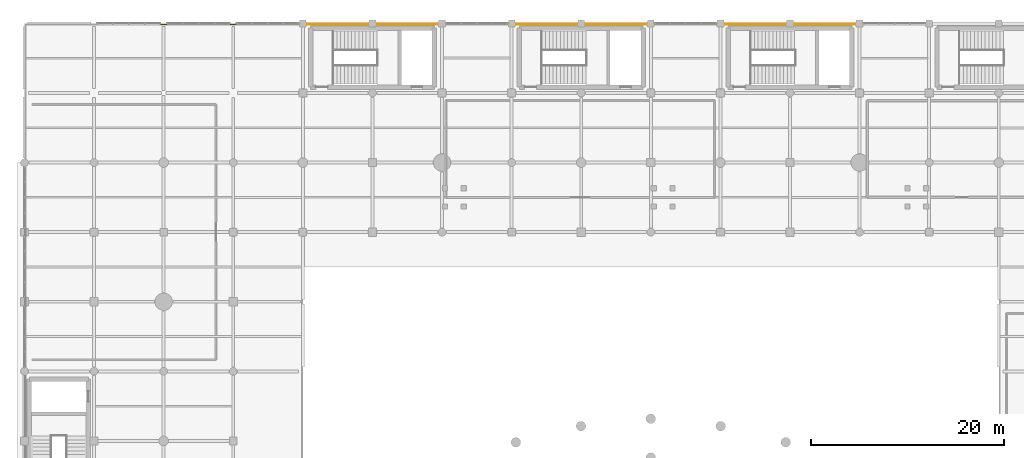
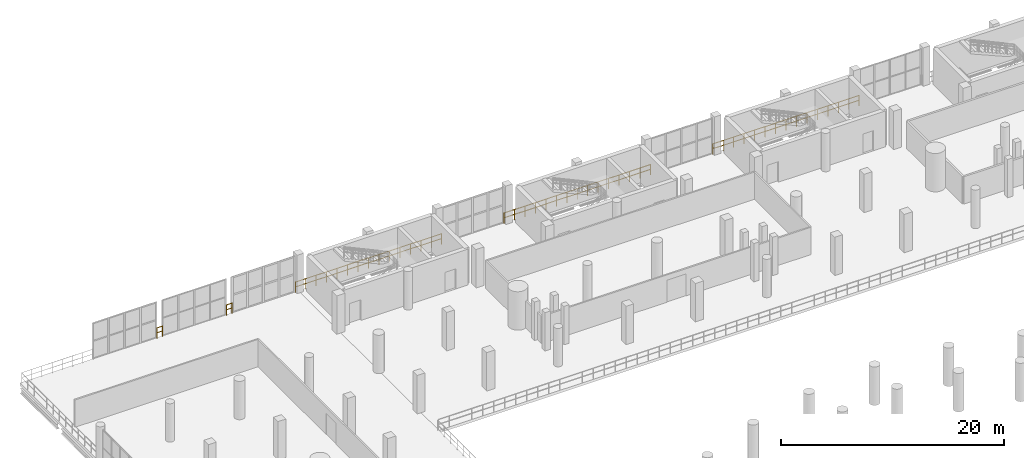
# One storey, part 153 of 153: 5 railings.
"""IFC4 building model written with IfcOpenShell, lengths in metres."""

import ifcopenshell
import ifcopenshell.guid

model = None  # the IFC model being written
_history = None  # IfcOwnerHistory: only IFC2X3 demands one
_inside = {}  # id of a spatial element -> (the spatial element, [elements in it])
_under = {}  # id of a project, library or spatial element -> (it, [spatial elements below it])
_declared = {}  # id of a project -> (the project, [libraries it declares])
_typed = {}  # id of a type object -> (the type object, [elements of that type])
_made_of = {}  # id of a material, layer set ... -> (it, [elements and type objects made of it])


def new_model(schema):
    """Start an empty IFC model of exactly this schema.

    Asked for "IFC4X3", IfcOpenShell would pick the latest addendum, in which some entities
    have other attributes; the version numbers below select the first issue.
    IFC2X3 requires an IfcOwnerHistory on every rooted entity: one is made here for all.
    """
    global model, _history
    if schema == "IFC4X3":
        model = ifcopenshell.file(schema_version=(4, 3, 0, 0))
    else:
        model = ifcopenshell.file(schema=schema)
    _inside.clear()
    _under.clear()
    _declared.clear()
    _typed.clear()
    _made_of.clear()
    _history = None
    if model.schema == "IFC2X3":
        org = make("IfcOrganization", Name="unknown")
        user = make(
            "IfcPersonAndOrganization",
            ThePerson=make("IfcPerson", FamilyName="unknown"),
            TheOrganization=org,
        )
        app = make(
            "IfcApplication",
            ApplicationDeveloper=org,
            Version="unknown",
            ApplicationFullName="unknown",
            ApplicationIdentifier="unknown",
        )
        _history = make(
            "IfcOwnerHistory",
            OwningUser=user,
            OwningApplication=app,
            ChangeAction="ADDED",
            CreationDate=0,
        )
    return model


def make(cls, **values):
    """One entity of the class cls with the attributes given. An attribute that is None is left unset."""
    return model.create_entity(
        cls, **{name: value for name, value in values.items() if value is not None}
    )


def rooted(cls, **values):
    """An entity with a GlobalId (a new one), such as an element, a storey or a relation."""
    return make(cls, GlobalId=ifcopenshell.guid.new(), OwnerHistory=_history, **values)


def si_unit(unit_type, name, prefix=None):
    """IfcSIUnit, for example si_unit("LENGTHUNIT", "METRE", prefix="MILLI")."""
    return make("IfcSIUnit", UnitType=unit_type, Prefix=prefix, Name=name)


def assignment(units):
    """IfcUnitAssignment: the units of a project."""
    return None if units is None else make("IfcUnitAssignment", Units=units)


def point(xyz):
    """IfcCartesianPoint."""
    return None if xyz is None else make("IfcCartesianPoint", Coordinates=xyz)


def direction(xyz):
    """IfcDirection."""
    return None if xyz is None else make("IfcDirection", DirectionRatios=xyz)


def frame(location, z_axis=None, x_axis=None):
    """IfcAxis2Placement3D, a coordinate frame: its origin and axes. An axis left out is left unset."""
    return make(
        "IfcAxis2Placement3D",
        Location=point(location),
        Axis=direction(z_axis),
        RefDirection=direction(x_axis),
    )


def frame_2d(location, x_axis=None):
    """IfcAxis2Placement2D, a coordinate frame in the plane: its origin and x axis."""
    return make(
        "IfcAxis2Placement2D", Location=point(location), RefDirection=direction(x_axis)
    )


def origin():
    """The frame at (0, 0, 0) with its axes left unset."""
    return frame((0.0, 0.0, 0.0))


def origin_2d():
    """The frame at (0, 0) in the plane with its x axis left unset."""
    return frame_2d((0.0, 0.0))


def place(relative_to, where):
    """IfcLocalPlacement: puts the frame where relative to a parent placement (None: the world)."""
    return make(
        "IfcLocalPlacement", PlacementRelTo=relative_to, RelativePlacement=where
    )


def context(
    kind, dimensions, precision=None, world=None, true_north=None, identifier=None
):
    """IfcGeometricRepresentationContext, for example the 3D "Model" context."""
    return make(
        "IfcGeometricRepresentationContext",
        ContextIdentifier=identifier,
        ContextType=kind,
        CoordinateSpaceDimension=dimensions,
        Precision=precision,
        WorldCoordinateSystem=world,
        TrueNorth=true_north,
    )


def subcontext(parent, identifier, kind, view, scale=None):
    """IfcGeometricRepresentationSubContext, for example "Body" below "Model"."""
    return make(
        "IfcGeometricRepresentationSubContext",
        ContextIdentifier=identifier,
        ContextType=kind,
        ParentContext=parent,
        TargetScale=scale,
        TargetView=view,
    )


def project(units=None, contexts=None):
    """IfcProject with its units and contexts."""
    return rooted(
        "IfcProject",
        Name="project",
        RepresentationContexts=contexts,
        UnitsInContext=assignment(units),
    )


def spatial(cls, under=None, at=None, **own):
    """A site, building, storey or space (cls), placed at a placement, below another one or the project."""
    s = rooted(cls, ObjectPlacement=at, **own)
    if under is not None:
        _under.setdefault(under.id(), (under, []))[1].append(s)
    return s


def profile(cls, at=None, kind="AREA", **sizes):
    """A parametric profile (cls). Its sizes go by their IFC names, for example OverallWidth=200.0."""
    return make(cls, ProfileType=kind, Position=at, **sizes)


def circle(**sizes):
    """IfcCircleProfileDef."""
    return profile("IfcCircleProfileDef", **sizes)


def extrude(swept, where, along, depth):
    """IfcExtrudedAreaSolid: the profile swept, set in the frame where, extruded along a direction by depth."""
    return make(
        "IfcExtrudedAreaSolid",
        SweptArea=swept,
        Position=where,
        ExtrudedDirection=direction(along),
        Depth=depth,
    )


def shape(context_of_items, identifier, shape_type, items):
    """IfcShapeRepresentation: the items that make up one representation, for example the "Body"."""
    return make(
        "IfcShapeRepresentation",
        ContextOfItems=context_of_items,
        RepresentationIdentifier=identifier,
        RepresentationType=shape_type,
        Items=items,
    )


def material(Name=None, Category=None):
    """IfcMaterial."""
    return make("IfcMaterial", Name=Name, Category=Category)


def made_of(thing, what):
    """Note that an element or type object is made of a material, layer set ...; save() writes the relation."""
    if what is not None:
        _made_of.setdefault(what.id(), (what, []))[1].append(thing)
    return thing


def type_object(cls, material=None, **own):
    """A type object (cls), such as IfcWallType, which elements share."""
    return made_of(rooted(cls, **own), material)


def element(
    cls,
    number,
    at=None,
    inside=None,
    cuts=None,
    type_object=None,
    material=None,
    context=None,
    identifier="Body",
    shape_type=None,
    held_by="IfcProductDefinitionShape",
    body=None,
    shapes=None,
    **own,
):
    """One element of the class cls, such as IfcWall. Its Tag is "e" and its number.

    at: its placement. inside: the storey or other place that contains it. cuts: it is an
    opening in that element (IfcRelVoidsElement). A single representation is given by context,
    identifier, shape_type and body (its items); several are given by shapes. held_by: the class
    of the entity that holds the representations. save() writes the other relations.
    """
    e = rooted(cls, Tag="e%d" % number, ObjectPlacement=at, **own)
    if body is not None:
        shapes = [shape(context, identifier, shape_type, body)]
    if shapes is not None:
        e.Representation = make(held_by, Representations=shapes)
    if inside is not None:
        _inside.setdefault(inside.id(), (inside, []))[1].append(e)
    if cuts is not None:
        rooted(
            "IfcRelVoidsElement", RelatingBuildingElement=cuts, RelatedOpeningElement=e
        )
    if type_object is not None:
        _typed.setdefault(type_object.id(), (type_object, []))[1].append(e)
    return made_of(e, material)


def aggregate(whole, parts):
    """IfcRelAggregates: a whole, such as a stair, and the parts it consists of."""
    return rooted("IfcRelAggregates", RelatingObject=whole, RelatedObjects=parts)


def save(model, path):
    """Write the relations noted so far, then the file.

    IfcRelAggregates (storeys below a building ...), IfcRelContainedInSpatialStructure (elements
    in a storey), IfcRelDefinesByType, IfcRelAssociatesMaterial and IfcRelDeclares: one each for
    every whole, place, type object, material and project.
    """
    for whole, parts in _under.values():
        aggregate(whole, parts)
    for where, things in _inside.values():
        rooted(
            "IfcRelContainedInSpatialStructure",
            RelatedElements=things,
            RelatingStructure=where,
        )
    for kind, things in _typed.values():
        rooted("IfcRelDefinesByType", RelatedObjects=things, RelatingType=kind)
    for what, things in _made_of.values():
        rooted("IfcRelAssociatesMaterial", RelatedObjects=things, RelatingMaterial=what)
    for by, libraries in _declared.values():
        rooted("IfcRelDeclares", RelatingContext=by, RelatedDefinitions=libraries)
    model.write(path)


model = new_model("IFC4")

# Units and contexts
model_context = context("Model", 3, precision=1e-05, world=origin(), true_north=direction((0.0, 1.0)))
body_context = subcontext(model_context, "Body", "Model", "MODEL_VIEW")
ifc_project = project(units=[si_unit("LENGTHUNIT", "METRE"), si_unit("AREAUNIT", "SQUARE_METRE"), si_unit("VOLUMEUNIT", "CUBIC_METRE"), si_unit("PLANEANGLEUNIT", "RADIAN"), si_unit("MASSUNIT", "GRAM", prefix="KILO")], contexts=[model_context])

# Site, building, storey
site_placement = place(None, origin())
site = spatial("IfcSite", under=ifc_project, at=site_placement, CompositionType="ELEMENT")
building_placement = place(site_placement, origin())
building = spatial("IfcBuilding", under=site, at=building_placement, Name="Qandorah Velis Arena", CompositionType="ELEMENT")
storey_placement = place(building_placement, frame((0.0, 0.0, 5.39990234375)))
storey = spatial("IfcBuildingStorey", under=building, at=storey_placement, Name="L01", CompositionType="ELEMENT", Elevation=5.39990234375)

# Railings
ifc_material = material(Name="Stainless steel 316", Category="steel")
railing_type = type_object("IfcRailingType", Name="ARC-RL-GRD1150", PredefinedType="GUARDRAIL", material=ifc_material)
for number, where, name in (
    (1, (14.10009765625, 129.5, 0.0), "Slab edge safety guardrail L01-102"),
    (2, (21.300048828125, 129.5, 0.0), "Slab edge safety guardrail L01-103"),
):
    element("IfcRailing", number, at=place(storey_placement, frame(where)), inside=storey, type_object=railing_type, Name=name, PredefinedType="GUARDRAIL", context=body_context, shape_type="SweptSolid", body=[
        extrude(circle(Radius=0.02392578125, at=origin_2d()), frame((0.0, 0.0, 1.1259765625), z_axis=(1.0, 0.0, 0.0), x_axis=(0.0, 1.0, 0.0)), (0.0, 0.0, 1.0), 0.599853515625),
        extrude(circle(Radius=0.02392578125, at=origin_2d()), frame((0.0, 0.0, 0.597900390625), z_axis=(1.0, 0.0, 0.0), x_axis=(0.0, 1.0, 0.0)), (0.0, 0.0, 1.0), 0.599853515625),
        extrude(circle(Radius=0.02099609375, at=origin_2d()), origin(), (0.0, 0.0, 1.0), 1.101806640625),
        extrude(circle(Radius=0.02099609375, at=origin_2d()), frame((0.599853515625, 0.0, 0.0)), (0.0, 0.0, 1.0), 1.101806640625),
    ])
railing_1_placement = place(storey_placement, frame((28.425048828125, 129.5, 0.0)))
element("IfcRailing", 3, at=railing_1_placement, inside=storey, type_object=railing_type, Name="Slab edge safety guardrail L01-104", PredefinedType="GUARDRAIL", context=body_context, shape_type="SweptSolid", body=[
    extrude(circle(Radius=0.02392578125, at=origin_2d()), frame((0.0, 0.0, 1.1259765625), z_axis=(1.0, 0.0, 0.0), x_axis=(0.0, 1.0, 0.0)), (0.0, 0.0, 1.0), 15.14990234375),
    extrude(circle(Radius=0.02392578125, at=origin_2d()), frame((0.0, 0.0, 0.597900390625), z_axis=(1.0, 0.0, 0.0), x_axis=(0.0, 1.0, 0.0)), (0.0, 0.0, 1.0), 15.14990234375),
    extrude(circle(Radius=0.02099609375, at=origin_2d()), origin(), (0.0, 0.0, 1.0), 1.101806640625),
    extrude(circle(Radius=0.02099609375, at=origin_2d()), frame((1.08203125, 0.0, 0.0)), (0.0, 0.0, 1.0), 1.101806640625),
    extrude(circle(Radius=0.02099609375, at=origin_2d()), frame((2.164306640625, 0.0, 0.0)), (0.0, 0.0, 1.0), 1.101806640625),
    extrude(circle(Radius=0.02099609375, at=origin_2d()), frame((3.246337890625, 0.0, 0.0)), (0.0, 0.0, 1.0), 1.101806640625),
    extrude(circle(Radius=0.02099609375, at=origin_2d()), frame((4.32861328125, 0.0, 0.0)), (0.0, 0.0, 1.0), 1.101806640625),
    extrude(circle(Radius=0.02099609375, at=origin_2d()), frame((5.41064453125, 0.0, 0.0)), (0.0, 0.0, 1.0), 1.101806640625),
    extrude(circle(Radius=0.02099609375, at=origin_2d()), frame((6.492919921875, 0.0, 0.0)), (0.0, 0.0, 1.0), 1.101806640625),
    extrude(circle(Radius=0.02099609375, at=origin_2d()), frame((7.574951171875, 0.0, 0.0)), (0.0, 0.0, 1.0), 1.101806640625),
    extrude(circle(Radius=0.02099609375, at=origin_2d()), frame((8.656982421875, 0.0, 0.0)), (0.0, 0.0, 1.0), 1.101806640625),
    extrude(circle(Radius=0.02099609375, at=origin_2d()), frame((9.7392578125, 0.0, 0.0)), (0.0, 0.0, 1.0), 1.101806640625),
    extrude(circle(Radius=0.02099609375, at=origin_2d()), frame((10.8212890625, 0.0, 0.0)), (0.0, 0.0, 1.0), 1.101806640625),
    extrude(circle(Radius=0.02099609375, at=origin_2d()), frame((11.903564453125, 0.0, 0.0)), (0.0, 0.0, 1.0), 1.101806640625),
    extrude(circle(Radius=0.02099609375, at=origin_2d()), frame((12.985595703125, 0.0, 0.0)), (0.0, 0.0, 1.0), 1.101806640625),
    extrude(circle(Radius=0.02099609375, at=origin_2d()), frame((14.06787109375, 0.0, 0.0)), (0.0, 0.0, 1.0), 1.101806640625),
    extrude(circle(Radius=0.02099609375, at=origin_2d()), frame((15.14990234375, 0.0, 0.0)), (0.0, 0.0, 1.0), 1.101806640625),
])
railing_2_placement = place(storey_placement, frame((50.02490234375, 129.5, 0.0)))
element("IfcRailing", 4, at=railing_2_placement, inside=storey, type_object=railing_type, Name="Slab edge safety guardrail L01-105", PredefinedType="GUARDRAIL", context=body_context, shape_type="SweptSolid", body=[
    extrude(circle(Radius=0.02392578125, at=origin_2d()), frame((0.0, 0.0, 1.1259765625), z_axis=(1.0, 0.0, 0.0), x_axis=(0.0, 1.0, 0.0)), (0.0, 0.0, 1.0), 15.150146484375),
    extrude(circle(Radius=0.02392578125, at=origin_2d()), frame((0.0, 0.0, 0.597900390625), z_axis=(1.0, 0.0, 0.0), x_axis=(0.0, 1.0, 0.0)), (0.0, 0.0, 1.0), 15.150146484375),
    extrude(circle(Radius=0.02099609375, at=origin_2d()), origin(), (0.0, 0.0, 1.0), 1.101806640625),
    extrude(circle(Radius=0.02099609375, at=origin_2d()), frame((1.08203125, 0.0, 0.0)), (0.0, 0.0, 1.0), 1.101806640625),
    extrude(circle(Radius=0.02099609375, at=origin_2d()), frame((2.164306640625, 0.0, 0.0)), (0.0, 0.0, 1.0), 1.101806640625),
    extrude(circle(Radius=0.02099609375, at=origin_2d()), frame((3.24658203125, 0.0, 0.0)), (0.0, 0.0, 1.0), 1.101806640625),
    extrude(circle(Radius=0.02099609375, at=origin_2d()), frame((4.32861328125, 0.0, 0.0)), (0.0, 0.0, 1.0), 1.101806640625),
    extrude(circle(Radius=0.02099609375, at=origin_2d()), frame((5.41064453125, 0.0, 0.0)), (0.0, 0.0, 1.0), 1.101806640625),
    extrude(circle(Radius=0.02099609375, at=origin_2d()), frame((6.492919921875, 0.0, 0.0)), (0.0, 0.0, 1.0), 1.101806640625),
    extrude(circle(Radius=0.02099609375, at=origin_2d()), frame((7.5751953125, 0.0, 0.0)), (0.0, 0.0, 1.0), 1.101806640625),
    extrude(circle(Radius=0.02099609375, at=origin_2d()), frame((8.6572265625, 0.0, 0.0)), (0.0, 0.0, 1.0), 1.101806640625),
    extrude(circle(Radius=0.02099609375, at=origin_2d()), frame((9.7392578125, 0.0, 0.0)), (0.0, 0.0, 1.0), 1.101806640625),
    extrude(circle(Radius=0.02099609375, at=origin_2d()), frame((10.821533203125, 0.0, 0.0)), (0.0, 0.0, 1.0), 1.101806640625),
    extrude(circle(Radius=0.02099609375, at=origin_2d()), frame((11.90380859375, 0.0, 0.0)), (0.0, 0.0, 1.0), 1.101806640625),
    extrude(circle(Radius=0.02099609375, at=origin_2d()), frame((12.98583984375, 0.0, 0.0)), (0.0, 0.0, 1.0), 1.101806640625),
    extrude(circle(Radius=0.02099609375, at=origin_2d()), frame((14.06787109375, 0.0, 0.0)), (0.0, 0.0, 1.0), 1.101806640625),
    extrude(circle(Radius=0.02099609375, at=origin_2d()), frame((15.150146484375, 0.0, 0.0)), (0.0, 0.0, 1.0), 1.101806640625),
])
railing_3_placement = place(storey_placement, frame((71.625, 129.5, 0.0)))
element("IfcRailing", 5, at=railing_3_placement, inside=storey, type_object=railing_type, Name="Slab edge safety guardrail L01-106", PredefinedType="GUARDRAIL", context=body_context, shape_type="SweptSolid", body=[
    extrude(circle(Radius=0.02392578125, at=origin_2d()), frame((0.0, 0.0, 1.1259765625), z_axis=(1.0, 0.0, 0.0), x_axis=(0.0, 1.0, 0.0)), (0.0, 0.0, 1.0), 15.14990234375),
    extrude(circle(Radius=0.02392578125, at=origin_2d()), frame((0.0, 0.0, 0.597900390625), z_axis=(1.0, 0.0, 0.0), x_axis=(0.0, 1.0, 0.0)), (0.0, 0.0, 1.0), 15.14990234375),
    extrude(circle(Radius=0.02099609375, at=origin_2d()), origin(), (0.0, 0.0, 1.0), 1.101806640625),
    extrude(circle(Radius=0.02099609375, at=origin_2d()), frame((1.08203125, 0.0, 0.0)), (0.0, 0.0, 1.0), 1.101806640625),
    extrude(circle(Radius=0.02099609375, at=origin_2d()), frame((2.164306640625, 0.0, 0.0)), (0.0, 0.0, 1.0), 1.101806640625),
    extrude(circle(Radius=0.02099609375, at=origin_2d()), frame((3.246337890625, 0.0, 0.0)), (0.0, 0.0, 1.0), 1.101806640625),
    extrude(circle(Radius=0.02099609375, at=origin_2d()), frame((4.32861328125, 0.0, 0.0)), (0.0, 0.0, 1.0), 1.101806640625),
    extrude(circle(Radius=0.02099609375, at=origin_2d()), frame((5.41064453125, 0.0, 0.0)), (0.0, 0.0, 1.0), 1.101806640625),
    extrude(circle(Radius=0.02099609375, at=origin_2d()), frame((6.492919921875, 0.0, 0.0)), (0.0, 0.0, 1.0), 1.101806640625),
    extrude(circle(Radius=0.02099609375, at=origin_2d()), frame((7.574951171875, 0.0, 0.0)), (0.0, 0.0, 1.0), 1.101806640625),
    extrude(circle(Radius=0.02099609375, at=origin_2d()), frame((8.656982421875, 0.0, 0.0)), (0.0, 0.0, 1.0), 1.101806640625),
    extrude(circle(Radius=0.02099609375, at=origin_2d()), frame((9.7392578125, 0.0, 0.0)), (0.0, 0.0, 1.0), 1.101806640625),
    extrude(circle(Radius=0.02099609375, at=origin_2d()), frame((10.8212890625, 0.0, 0.0)), (0.0, 0.0, 1.0), 1.101806640625),
    extrude(circle(Radius=0.02099609375, at=origin_2d()), frame((11.903564453125, 0.0, 0.0)), (0.0, 0.0, 1.0), 1.101806640625),
    extrude(circle(Radius=0.02099609375, at=origin_2d()), frame((12.985595703125, 0.0, 0.0)), (0.0, 0.0, 1.0), 1.101806640625),
    extrude(circle(Radius=0.02099609375, at=origin_2d()), frame((14.06787109375, 0.0, 0.0)), (0.0, 0.0, 1.0), 1.101806640625),
    extrude(circle(Radius=0.02099609375, at=origin_2d()), frame((15.14990234375, 0.0, 0.0)), (0.0, 0.0, 1.0), 1.101806640625),
])

save(model, "model.ifc")
